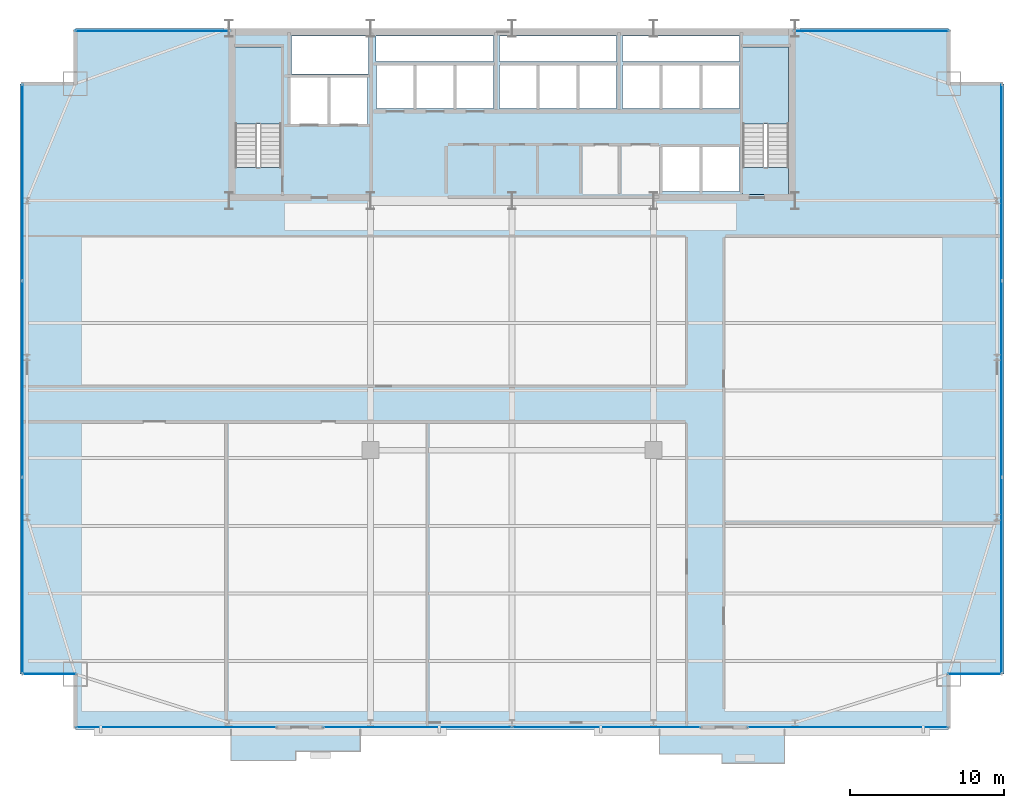
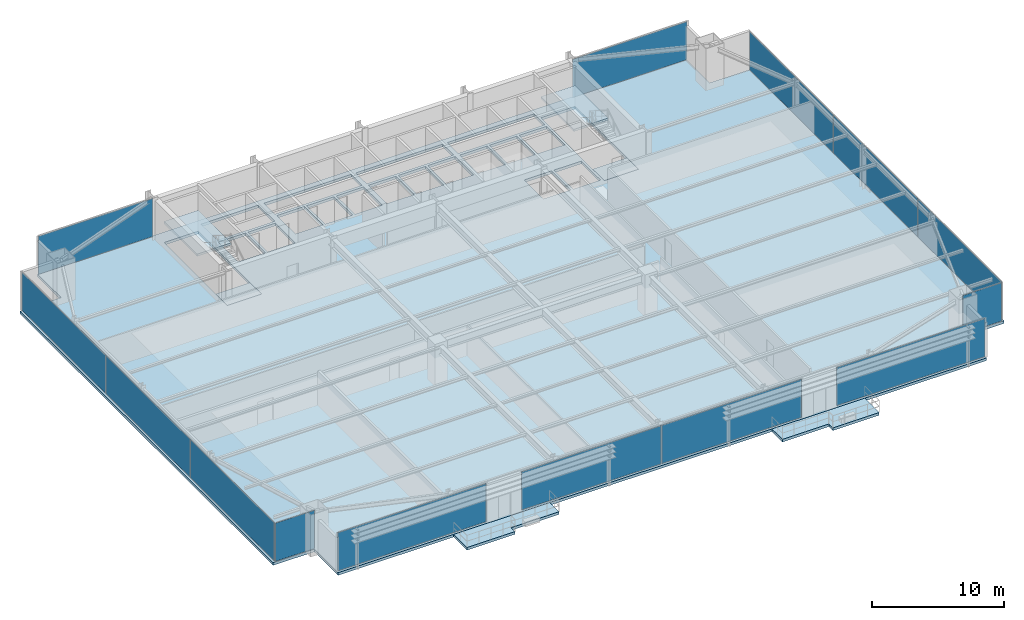
# One storey, part 24 of 31: 14 plates, 7 slabs, 11 elements without a shape of their own.
"""IFC4 building model written with IfcOpenShell, lengths in metres."""

from ifc_helpers import new_model, si_unit, direction, frame, origin, origin_2d, place, context, subcontext, project, spatial, polyline, rectangle, outline, extrude, source, transform, mapped, material, layer, layer_set, type_object, type_shapes, element, aggregate, save


model = new_model("IFC4")

# Units and contexts
model_context = context("Model", 3, precision=1e-05, world=origin(), true_north=direction((0.0, 1.0)))
body_context = subcontext(model_context, "Body", "Model", "MODEL_VIEW")
ifc_project = project(units=[si_unit("LENGTHUNIT", "METRE"), si_unit("AREAUNIT", "SQUARE_METRE"), si_unit("VOLUMEUNIT", "CUBIC_METRE"), si_unit("PLANEANGLEUNIT", "RADIAN"), si_unit("MASSUNIT", "GRAM", prefix="KILO")], contexts=[model_context])

# Site, building, storey
site_placement = place(None, origin())
site = spatial("IfcSite", under=ifc_project, at=site_placement, CompositionType="ELEMENT")
building_placement = place(site_placement, origin())
building = spatial("IfcBuilding", under=site, at=building_placement, Name="Varnel Quay Broadcast Tower", CompositionType="ELEMENT")
storey_placement = place(building_placement, frame((0.0, 0.0, 51.0)))
storey = spatial("IfcBuildingStorey", under=building, at=storey_placement, Name="L11", CompositionType="ELEMENT", Elevation=51.0)

# Slabs
ifc_material_1 = material(Name="Concrete CSA A23.3 C40/50", Category="concrete")
ifc_layer_1 = layer(ifc_material_1, 0.25, Name="Concrete CSA A23.3 C40/50")
ifc_layer_set_1 = layer_set([ifc_layer_1], Name="Concrete CSA A23.3 C40/50")
slab_type_1 = type_object("IfcSlabType", Name="Slab_ExtTerrace250", PredefinedType="FLOOR", material=ifc_layer_set_1)
slab_1_placement = place(storey_placement, frame((0.0, 0.0, -0.25)))
element("IfcSlab", 1, at=slab_1_placement, inside=storey, type_object=slab_type_1, Name="L11 Planted Lobe Terrace Slab 1", PredefinedType="FLOOR", context=body_context, shape_type="SweptSolid", body=[
    extrude(outline(polyline([(15.72998046875, -0.81005859375), (19.929931640625, -0.81005859375), (19.929931640625, -0.2099609375), (24.1298828125, -0.2099609375), (24.1298828125, 1.199951171875), (15.72998046875, 1.199951171875), (15.72998046875, -0.81005859375)])), origin(), (0.0, 0.0, 1.0), 0.25),
])
slab_2_placement = place(storey_placement, frame((0.0, 0.0, -0.25)))
element("IfcSlab", 2, at=slab_2_placement, inside=storey, type_object=slab_type_1, Name="L11 Planted Lobe Terrace Slab 2", PredefinedType="FLOOR", context=body_context, shape_type="SweptSolid", body=[
    extrude(outline(polyline([(43.60009765625, -0.389892578125), (47.6650390625, -0.389892578125), (47.6650390625, -0.989990234375), (51.72998046875, -0.989990234375), (51.72998046875, 1.199951171875), (43.60009765625, 1.199951171875), (43.60009765625, -0.389892578125)])), origin(), (0.0, 0.0, 1.0), 0.25),
])
ifc_material_2 = material(Name="Concrete CSA A23.3 C50/60", Category="concrete")
ifc_layer_2 = layer(ifc_material_2, 0.25, Name="Concrete CSA A23.3 C50/60")
ifc_layer_set_2 = layer_set([ifc_layer_2], Name="Concrete CSA A23.3 C50/60")
slab_type_2 = type_object("IfcSlabType", Name="Slab_Floor250", PredefinedType="FLOOR", material=ifc_layer_set_2)
slab_3_placement = place(storey_placement, frame((0.0, 0.0, -0.25)))
element("IfcSlab", 3, at=slab_3_placement, inside=storey, type_object=slab_type_2, Name="L11 Structural Slab", PredefinedType="FLOOR", context=body_context, shape_type="SweptSolid", body=[
    extrude(outline(polyline([(5.60009765625, 1.199951171875), (62.39990234375, 1.199951171875), (62.39990234375, 4.800048828125), (66.0, 4.800048828125), (66.0, 43.199951171875), (62.39990234375, 43.199951171875), (62.39990234375, 46.800048828125), (5.60009765625, 46.800048828125), (5.60009765625, 43.199951171875), (2.0, 43.199951171875), (2.0, 4.800048828125), (5.60009765625, 4.800048828125), (5.60009765625, 1.199951171875)]), holes=[polyline([(16.0, 36.0), (16.0, 45.60009765625), (19.0, 45.60009765625), (19.0, 36.0), (16.0, 36.0)]), polyline([(19.60009765625, 43.60009765625), (22.0, 43.60009765625), (22.0, 40.60009765625), (19.60009765625, 40.60009765625), (19.60009765625, 43.60009765625)]), polyline([(22.199951171875, 43.60009765625), (24.60009765625, 43.60009765625), (24.60009765625, 40.60009765625), (22.199951171875, 40.60009765625), (22.199951171875, 43.60009765625)]), polyline([(25.199951171875, 44.39990234375), (27.60009765625, 44.39990234375), (27.60009765625, 41.60009765625), (25.199951171875, 41.60009765625), (25.199951171875, 44.39990234375)]), polyline([(27.800048828125, 44.39990234375), (30.199951171875, 44.39990234375), (30.199951171875, 41.60009765625), (27.800048828125, 41.60009765625), (27.800048828125, 44.39990234375)]), polyline([(30.39990234375, 44.39990234375), (32.800048828125, 44.39990234375), (32.800048828125, 41.60009765625), (30.39990234375, 41.60009765625), (30.39990234375, 44.39990234375)]), polyline([(33.199951171875, 44.39990234375), (35.60009765625, 44.39990234375), (35.60009765625, 41.60009765625), (33.199951171875, 41.60009765625), (33.199951171875, 44.39990234375)]), polyline([(38.199951171875, 44.39990234375), (38.199951171875, 41.60009765625), (35.800048828125, 41.60009765625), (35.800048828125, 44.39990234375), (38.199951171875, 44.39990234375)]), polyline([(24.679931640625, 46.300048828125), (24.679931640625, 43.85009765625), (19.64990234375, 43.85009765625), (19.64990234375, 46.300048828125), (24.679931640625, 46.300048828125)]), polyline([(25.14990234375, 46.300048828125), (32.800048828125, 46.300048828125), (32.800048828125, 44.64990234375), (25.14990234375, 44.64990234375), (25.14990234375, 46.300048828125)]), polyline([(43.800048828125, 39.10009765625), (46.199951171875, 39.10009765625), (46.199951171875, 36.199951171875), (43.800048828125, 36.199951171875), (43.800048828125, 39.10009765625)]), polyline([(46.39990234375, 39.10009765625), (48.800048828125, 39.10009765625), (48.800048828125, 36.199951171875), (46.39990234375, 36.199951171875), (46.39990234375, 39.10009765625)]), polyline([(49.0, 45.60009765625), (52.0, 45.60009765625), (52.0, 36.0), (49.0, 36.0), (49.0, 45.60009765625)]), polyline([(40.800048828125, 44.39990234375), (40.800048828125, 41.60009765625), (38.39990234375, 41.60009765625), (38.39990234375, 44.39990234375), (40.800048828125, 44.39990234375)]), polyline([(41.199951171875, 44.39990234375), (43.60009765625, 44.39990234375), (43.60009765625, 41.60009765625), (41.199951171875, 41.60009765625), (41.199951171875, 44.39990234375)]), polyline([(43.800048828125, 44.39990234375), (46.199951171875, 44.39990234375), (46.199951171875, 41.60009765625), (43.800048828125, 41.60009765625), (43.800048828125, 44.39990234375)]), polyline([(46.39990234375, 44.39990234375), (48.800048828125, 44.39990234375), (48.800048828125, 41.60009765625), (46.39990234375, 41.60009765625), (46.39990234375, 44.39990234375)]), polyline([(40.800048828125, 46.300048828125), (40.800048828125, 44.64990234375), (33.199951171875, 44.64990234375), (33.199951171875, 46.300048828125), (40.800048828125, 46.300048828125)]), polyline([(48.800048828125, 46.300048828125), (48.800048828125, 44.64990234375), (41.199951171875, 44.64990234375), (41.199951171875, 46.300048828125), (48.800048828125, 46.300048828125)])]), origin(), (0.0, 0.0, 1.0), 0.25),
])
ifc_layer_3 = layer(ifc_material_2, 0.25, Name="Concrete CSA A23.3 C50/60")
ifc_layer_set_3 = layer_set([ifc_layer_3], Name="Concrete CSA A23.3 C50/60")
slab_type_3 = type_object("IfcSlabType", Name="Slab_StairFloorLanding250", PredefinedType="FLOOR", material=ifc_layer_set_3)
slab_4_placement = place(storey_placement, frame((0.0, 0.0, -0.25)))
element("IfcSlab", 4, at=slab_4_placement, inside=storey, type_object=slab_type_3, Name="L11 ST-01 Structural Floor Landing Slab", PredefinedType="FLOOR", context=body_context, shape_type="SweptSolid", body=[
    extrude(outline(polyline([(19.0, 36.0), (19.0, 37.75), (16.0, 37.75), (16.0, 36.0), (19.0, 36.0)])), origin(), (0.0, 0.0, 1.0), 0.25),
])
slab_5_placement = place(storey_placement, frame((0.0, 0.0, -0.25)))
element("IfcSlab", 5, at=slab_5_placement, inside=storey, type_object=slab_type_3, Name="L11 ST-02 Structural Floor Landing Slab", PredefinedType="FLOOR", context=body_context, shape_type="SweptSolid", body=[
    extrude(outline(polyline([(52.0, 36.0), (52.0, 37.75), (49.0, 37.75), (49.0, 36.0), (52.0, 36.0)])), origin(), (0.0, 0.0, 1.0), 0.25),
])

# Stair, slab
ifc_material_3 = material(Name="Precast Structural Concrete C40/50", Category="concrete")
stair_type_1 = type_object("IfcStairType", Name="Stair_ST-01", PredefinedType="HALF_TURN_STAIR", material=ifc_material_3)
stair_1_placement = place(storey_placement, origin())
stair_1 = element("IfcStair", 6, at=stair_1_placement, inside=storey, type_object=stair_type_1, Name="L11 West Core Exit Stair 1", PredefinedType="HALF_TURN_STAIR")
ifc_layer_4 = layer(ifc_material_3, 0.199951171875, Name="Precast Structural Concrete C40/50")
ifc_layer_set_4 = layer_set([ifc_layer_4], Name="Precast Structural Concrete C40/50")
slab_type_4 = type_object("IfcSlabType", Name="Slab_StairLanding200", PredefinedType="LANDING", material=ifc_layer_set_4)
slab_6_placement = place(storey_placement, frame((0.0, 0.0, 1.75)))
slab_6 = element("IfcSlab", 7, at=slab_6_placement, type_object=slab_type_4, Name="ST-01 landing 1", PredefinedType="LANDING", context=body_context, shape_type="SweptSolid", body=[
    extrude(outline(polyline([(19.0, 40.60009765625), (19.0, 45.60009765625), (16.0, 45.60009765625), (16.0, 40.60009765625), (19.0, 40.60009765625)])), origin(), (0.0, 0.0, 1.0), 0.199951171875),
])
aggregate(stair_1, [slab_6])

stair_type_2 = type_object("IfcStairType", Name="Stair_ST-02", PredefinedType="HALF_TURN_STAIR", material=ifc_material_3)
stair_2_placement = place(storey_placement, origin())
stair_2 = element("IfcStair", 8, at=stair_2_placement, inside=storey, type_object=stair_type_2, Name="L11 East Core Exit Stair 2", PredefinedType="HALF_TURN_STAIR")
slab_7_placement = place(storey_placement, frame((0.0, 0.0, 1.75)))
slab_7 = element("IfcSlab", 9, at=slab_7_placement, type_object=slab_type_4, Name="ST-02 landing 1", PredefinedType="LANDING", context=body_context, shape_type="SweptSolid", body=[
    extrude(outline(polyline([(52.0, 40.60009765625), (52.0, 45.60009765625), (49.0, 45.60009765625), (49.0, 40.60009765625), (52.0, 40.60009765625)])), origin(), (0.0, 0.0, 1.0), 0.199951171875),
])
aggregate(stair_2, [slab_7])

# Curtain wall, plate
ifc_material_4 = material(Name="Anodised Bronze Aluminium 6063-T6", Category="aluminium")
ifc_layer_5 = layer(ifc_material_4, 0.18994140625, Name="Anodised Bronze Aluminium 6063-T6")
ifc_layer_set_5 = layer_set([ifc_layer_5], Name="Anodised Bronze Aluminium 6063-T6")
curtain_wall_type_1 = type_object("IfcCurtainWallType", Name="CW_LowerTower", PredefinedType="NOTDEFINED", material=ifc_layer_set_5)
curtain_wall_1_placement = place(storey_placement, origin())
curtain_wall_1 = element("IfcCurtainWall", 10, at=curtain_wall_1_placement, inside=storey, type_object=curtain_wall_type_1, Name="L11 South Unitised Curtain Wall 1", PredefinedType="NOTDEFINED")
ifc_material_5 = material(Name="Triple-Glazed Bronze Low-E Architectural Glass", Category="glass")
ifc_layer_6 = layer(ifc_material_5, 0.031982421875, Name="Triple-Glazed Bronze Low-E Architectural Glass")
ifc_layer_set_6 = layer_set([ifc_layer_6], Name="Triple-Glazed Bronze Low-E Architectural Glass")
plate_type_1 = type_object("IfcPlateType", Name="Panel_CWS-02", PredefinedType="CURTAIN_PANEL", material=ifc_layer_set_6)
shared_shape_1 = source(origin(), body_context, "Body", "SweptSolid", [
    extrude(rectangle(XDim=12.97998046875, YDim=0.031982421875, at=origin_2d()), origin(), (0.0, 0.0, 1.0), 3.530029296875),
])
plate_1_placement = place(storey_placement, frame((12.159912109375, 1.35009765625, 0.06005859375), z_axis=(0.0, 0.0, 1.0), x_axis=(1.0, 0.0, 0.0)))
plate_1 = element("IfcPlate", 11, at=plate_1_placement, type_object=plate_type_1, Name="CWS-02 panel 1.1", PredefinedType="CURTAIN_PANEL", context=body_context, shape_type="MappedRepresentation", body=[
    mapped(shared_shape_1, transform((0.0, 0.0, 0.0), x_axis=(1.0, 0.0, 0.0), y_axis=(0.0, 1.0, 0.0), z_axis=(0.0, 0.0, 1.0), scale=1.0)),
])
aggregate(curtain_wall_1, [plate_1])

curtain_wall_2_placement = place(storey_placement, origin())
curtain_wall_2 = element("IfcCurtainWall", 12, at=curtain_wall_2_placement, inside=storey, type_object=curtain_wall_type_1, Name="L11 South Unitised Curtain Wall 3", PredefinedType="NOTDEFINED")
plate_2_placement = place(storey_placement, frame((55.840087890625, 1.35009765625, 0.06005859375), z_axis=(0.0, 0.0, 1.0), x_axis=(1.0, 0.0, 0.0)))
plate_2 = element("IfcPlate", 13, at=plate_2_placement, type_object=plate_type_1, Name="CWS-02 panel 1.1", PredefinedType="CURTAIN_PANEL", context=body_context, shape_type="MappedRepresentation", body=[
    mapped(shared_shape_1, transform((0.0, 0.0, 0.0), x_axis=(1.0, 0.0, 0.0), y_axis=(0.0, 1.0, 0.0), z_axis=(0.0, 0.0, 1.0), scale=1.0)),
])
aggregate(curtain_wall_2, [plate_2])

# Curtain wall, plates
curtain_wall_3_placement = place(storey_placement, origin())
curtain_wall_3 = element("IfcCurtainWall", 14, at=curtain_wall_3_placement, inside=storey, type_object=curtain_wall_type_1, Name="L11 South Unitised Curtain Wall 2", PredefinedType="NOTDEFINED")
ifc_material_6 = material(Name="Insulated Bronze Spandrel Glass", Category="glass")
ifc_layer_7 = layer(ifc_material_6, 0.031982421875, Name="Insulated Bronze Spandrel Glass")
ifc_layer_set_7 = layer_set([ifc_layer_7], Name="Insulated Bronze Spandrel Glass")
plate_type_2 = type_object("IfcPlateType", Name="PanelSp_CWS-02", PredefinedType="CURTAIN_PANEL", material=ifc_layer_set_7)
shared_shape_2 = source(origin(), body_context, "Body", "SweptSolid", [
    extrude(rectangle(XDim=12.215087890625, YDim=0.031982421875, at=origin_2d()), origin(), (0.0, 0.0, 1.0), 3.530029296875),
])
plate_3_placement = place(storey_placement, frame((27.857421875, 1.35009765625, 0.06005859375), z_axis=(0.0, 0.0, 1.0), x_axis=(1.0, 0.0, 0.0)))
plate_3 = element("IfcPlate", 15, at=plate_3_placement, type_object=plate_type_2, Name="CWS-02 panel 1.1", PredefinedType="CURTAIN_PANEL", context=body_context, shape_type="MappedRepresentation", body=[
    mapped(shared_shape_2, transform((0.0, 0.0, 0.0), x_axis=(1.0, 0.0, 0.0), y_axis=(0.0, 1.0, 0.0), z_axis=(0.0, 0.0, 1.0), scale=1.0)),
])
plate_4_placement = place(storey_placement, frame((40.142578125, 1.35009765625, 0.06005859375), z_axis=(0.0, 0.0, 1.0), x_axis=(1.0, 0.0, 0.0)))
plate_4 = element("IfcPlate", 16, at=plate_4_placement, type_object=plate_type_2, Name="CWS-02 panel 2.1", PredefinedType="CURTAIN_PANEL", context=body_context, shape_type="MappedRepresentation", body=[
    mapped(shared_shape_2, transform((0.0, 0.0, 0.0), x_axis=(1.0, 0.0, 0.0), y_axis=(0.0, 1.0, 0.0), z_axis=(0.0, 0.0, 1.0), scale=1.0)),
])
aggregate(curtain_wall_3, [plate_3, plate_4])

# Curtain wall, plate
curtain_wall_4_placement = place(storey_placement, origin())
curtain_wall_4 = element("IfcCurtainWall", 17, at=curtain_wall_4_placement, inside=storey, type_object=curtain_wall_type_1, Name="L11 West Unitised Curtain Wall", PredefinedType="NOTDEFINED")
shared_shape_3 = source(origin(), body_context, "Body", "SweptSolid", [
    extrude(rectangle(XDim=12.695068359375, YDim=0.031982421875, at=origin_2d()), origin(), (0.0, 0.0, 1.0), 3.530029296875),
])
plate_5_placement = place(storey_placement, frame((2.14990234375, 36.782470703125, 0.06005859375), z_axis=(0.0, 0.0, 1.0), x_axis=(0.0, 1.0, 0.0)))
plate_5 = element("IfcPlate", 18, at=plate_5_placement, type_object=plate_type_2, Name="CWS-02 panel 3.1", PredefinedType="CURTAIN_PANEL", context=body_context, shape_type="MappedRepresentation", body=[
    mapped(shared_shape_3, transform((0.0, 0.0, 0.0), x_axis=(1.0, 0.0, 0.0), y_axis=(0.0, 1.0, 0.0), z_axis=(0.0, 0.0, 1.0), scale=1.0)),
])

curtain_wall_5_placement = place(storey_placement, origin())
curtain_wall_5 = element("IfcCurtainWall", 19, at=curtain_wall_5_placement, inside=storey, type_object=curtain_wall_type_1, Name="L11 East Unitised Curtain Wall", PredefinedType="NOTDEFINED")
plate_6_placement = place(storey_placement, frame((65.85009765625, 36.782470703125, 0.06005859375), z_axis=(0.0, 0.0, 1.0), x_axis=(0.0, 1.0, 0.0)))
plate_6 = element("IfcPlate", 20, at=plate_6_placement, type_object=plate_type_2, Name="CWS-02 panel 3.1", PredefinedType="CURTAIN_PANEL", context=body_context, shape_type="MappedRepresentation", body=[
    mapped(shared_shape_3, transform((0.0, 0.0, 0.0), x_axis=(1.0, 0.0, 0.0), y_axis=(0.0, 1.0, 0.0), z_axis=(0.0, 0.0, 1.0), scale=1.0)),
])

# Plate
shared_shape_4 = source(origin(), body_context, "Body", "SweptSolid", [
    extrude(rectangle(XDim=12.72998046875, YDim=0.031982421875, at=origin_2d()), origin(), (0.0, 0.0, 1.0), 3.530029296875),
])
type_shapes(plate_type_2, [shared_shape_2, shared_shape_3, shared_shape_4])
plate_7_placement = place(storey_placement, frame((2.14990234375, 24.0, 0.06005859375), z_axis=(0.0, 0.0, 1.0), x_axis=(0.0, 1.0, 0.0)))
plate_7 = element("IfcPlate", 21, at=plate_7_placement, type_object=plate_type_2, Name="CWS-02 panel 2.1", PredefinedType="CURTAIN_PANEL", context=body_context, shape_type="MappedRepresentation", body=[
    mapped(shared_shape_4, transform((0.0, 0.0, 0.0), x_axis=(1.0, 0.0, 0.0), y_axis=(0.0, 1.0, 0.0), z_axis=(0.0, 0.0, 1.0), scale=1.0)),
])

plate_8_placement = place(storey_placement, frame((65.85009765625, 24.0, 0.06005859375), z_axis=(0.0, 0.0, 1.0), x_axis=(0.0, 1.0, 0.0)))
plate_8 = element("IfcPlate", 22, at=plate_8_placement, type_object=plate_type_2, Name="CWS-02 panel 2.1", PredefinedType="CURTAIN_PANEL", context=body_context, shape_type="MappedRepresentation", body=[
    mapped(shared_shape_4, transform((0.0, 0.0, 0.0), x_axis=(1.0, 0.0, 0.0), y_axis=(0.0, 1.0, 0.0), z_axis=(0.0, 0.0, 1.0), scale=1.0)),
])

# Curtain wall, plate
ifc_layer_8 = layer(ifc_material_4, 0.18994140625, Name="Anodised Bronze Aluminium 6063-T6")
ifc_layer_set_8 = layer_set([ifc_layer_8], Name="Anodised Bronze Aluminium 6063-T6")
curtain_wall_type_2 = type_object("IfcCurtainWallType", Name="CW_NotchCorner", PredefinedType="NOTDEFINED", material=ifc_layer_set_8)
curtain_wall_6_placement = place(storey_placement, origin())
curtain_wall_6 = element("IfcCurtainWall", 23, at=curtain_wall_6_placement, inside=storey, type_object=curtain_wall_type_2, Name="L11 SW Notch Curtain Wall", PredefinedType="NOTDEFINED")
ifc_layer_9 = layer(ifc_material_5, 0.028076171875, Name="Triple-Glazed Bronze Low-E Architectural Glass")
ifc_layer_set_9 = layer_set([ifc_layer_9], Name="Triple-Glazed Bronze Low-E Architectural Glass")
plate_type_3 = type_object("IfcPlateType", Name="Panel_CWS-04", PredefinedType="CURTAIN_PANEL", material=ifc_layer_set_9)
shared_shape_5 = source(origin(), body_context, "Body", "SweptSolid", [
    extrude(rectangle(XDim=3.409912109375, YDim=0.028076171875, at=origin_2d()), origin(), (0.0, 0.0, 1.0), 3.5400390625),
])
type_shapes(plate_type_3, [shared_shape_5])
plate_9_placement = place(storey_placement, frame((3.9150390625, 4.800048828125, 0.054931640625), z_axis=(0.0, 0.0, 1.0), x_axis=(1.0, 0.0, 0.0)))
plate_9 = element("IfcPlate", 24, at=plate_9_placement, type_object=plate_type_3, Name="CWS-04 panel 1.1", PredefinedType="CURTAIN_PANEL", context=body_context, shape_type="MappedRepresentation", body=[
    mapped(shared_shape_5, transform((0.0, 0.0, 0.0), x_axis=(1.0, 0.0, 0.0), y_axis=(0.0, 1.0, 0.0), z_axis=(0.0, 0.0, 1.0), scale=1.0)),
])
aggregate(curtain_wall_6, [plate_9])

curtain_wall_7_placement = place(storey_placement, origin())
curtain_wall_7 = element("IfcCurtainWall", 25, at=curtain_wall_7_placement, inside=storey, type_object=curtain_wall_type_2, Name="L11 SE Notch Curtain Wall", PredefinedType="NOTDEFINED")
plate_10_placement = place(storey_placement, frame((64.0849609375, 4.800048828125, 0.054931640625), z_axis=(0.0, 0.0, 1.0), x_axis=(1.0, 0.0, 0.0)))
plate_10 = element("IfcPlate", 26, at=plate_10_placement, type_object=plate_type_3, Name="CWS-04 panel 1.1", PredefinedType="CURTAIN_PANEL", context=body_context, shape_type="MappedRepresentation", body=[
    mapped(shared_shape_5, transform((0.0, 0.0, 0.0), x_axis=(1.0, 0.0, 0.0), y_axis=(0.0, 1.0, 0.0), z_axis=(0.0, 0.0, 1.0), scale=1.0)),
])
aggregate(curtain_wall_7, [plate_10])

curtain_wall_8_placement = place(storey_placement, origin())
curtain_wall_8 = element("IfcCurtainWall", 27, at=curtain_wall_8_placement, inside=storey, type_object=curtain_wall_type_1, Name="L11 NW Wing Curtain Wall", PredefinedType="NOTDEFINED")
shared_shape_6 = source(origin(), body_context, "Body", "SweptSolid", [
    extrude(rectangle(XDim=10.0400390625, YDim=0.031982421875, at=origin_2d()), origin(), (0.0, 0.0, 1.0), 3.530029296875),
])
plate_11_placement = place(storey_placement, frame((10.610107421875, 46.64990234375, 0.06005859375), z_axis=(0.0, 0.0, 1.0), x_axis=(1.0, 0.0, 0.0)))
plate_11 = element("IfcPlate", 28, at=plate_11_placement, type_object=plate_type_1, Name="CWS-02 panel 1.1", PredefinedType="CURTAIN_PANEL", context=body_context, shape_type="MappedRepresentation", body=[
    mapped(shared_shape_6, transform((0.0, 0.0, 0.0), x_axis=(1.0, 0.0, 0.0), y_axis=(0.0, 1.0, 0.0), z_axis=(0.0, 0.0, 1.0), scale=1.0)),
])
aggregate(curtain_wall_8, [plate_11])

curtain_wall_9_placement = place(storey_placement, origin())
curtain_wall_9 = element("IfcCurtainWall", 29, at=curtain_wall_9_placement, inside=storey, type_object=curtain_wall_type_1, Name="L11 NE Wing Curtain Wall", PredefinedType="NOTDEFINED")
plate_12_placement = place(storey_placement, frame((57.389892578125, 46.64990234375, 0.06005859375), z_axis=(0.0, 0.0, 1.0), x_axis=(1.0, 0.0, 0.0)))
plate_12 = element("IfcPlate", 30, at=plate_12_placement, type_object=plate_type_1, Name="CWS-02 panel 1.1", PredefinedType="CURTAIN_PANEL", context=body_context, shape_type="MappedRepresentation", body=[
    mapped(shared_shape_6, transform((0.0, 0.0, 0.0), x_axis=(1.0, 0.0, 0.0), y_axis=(0.0, 1.0, 0.0), z_axis=(0.0, 0.0, 1.0), scale=1.0)),
])
aggregate(curtain_wall_9, [plate_12])

# Plate
shared_shape_7 = source(origin(), body_context, "Body", "SweptSolid", [
    extrude(rectangle(XDim=12.695068359375, YDim=0.031982421875, at=origin_2d()), origin(), (0.0, 0.0, 1.0), 3.530029296875),
])
type_shapes(plate_type_1, [shared_shape_1, shared_shape_6, shared_shape_7])
plate_13_placement = place(storey_placement, frame((2.14990234375, 11.217529296875, 0.06005859375), z_axis=(0.0, 0.0, 1.0), x_axis=(0.0, 1.0, 0.0)))
plate_13 = element("IfcPlate", 31, at=plate_13_placement, type_object=plate_type_1, Name="CWS-02 panel 1.1", PredefinedType="CURTAIN_PANEL", context=body_context, shape_type="MappedRepresentation", body=[
    mapped(shared_shape_7, transform((0.0, 0.0, 0.0), x_axis=(1.0, 0.0, 0.0), y_axis=(0.0, 1.0, 0.0), z_axis=(0.0, 0.0, 1.0), scale=1.0)),
])

aggregate(curtain_wall_4, [plate_13, plate_7, plate_5])

plate_14_placement = place(storey_placement, frame((65.85009765625, 11.217529296875, 0.06005859375), z_axis=(0.0, 0.0, 1.0), x_axis=(0.0, 1.0, 0.0)))
plate_14 = element("IfcPlate", 32, at=plate_14_placement, type_object=plate_type_1, Name="CWS-02 panel 1.1", PredefinedType="CURTAIN_PANEL", context=body_context, shape_type="MappedRepresentation", body=[
    mapped(shared_shape_7, transform((0.0, 0.0, 0.0), x_axis=(1.0, 0.0, 0.0), y_axis=(0.0, 1.0, 0.0), z_axis=(0.0, 0.0, 1.0), scale=1.0)),
])

aggregate(curtain_wall_5, [plate_14, plate_8, plate_6])

save(model, "model.ifc")
